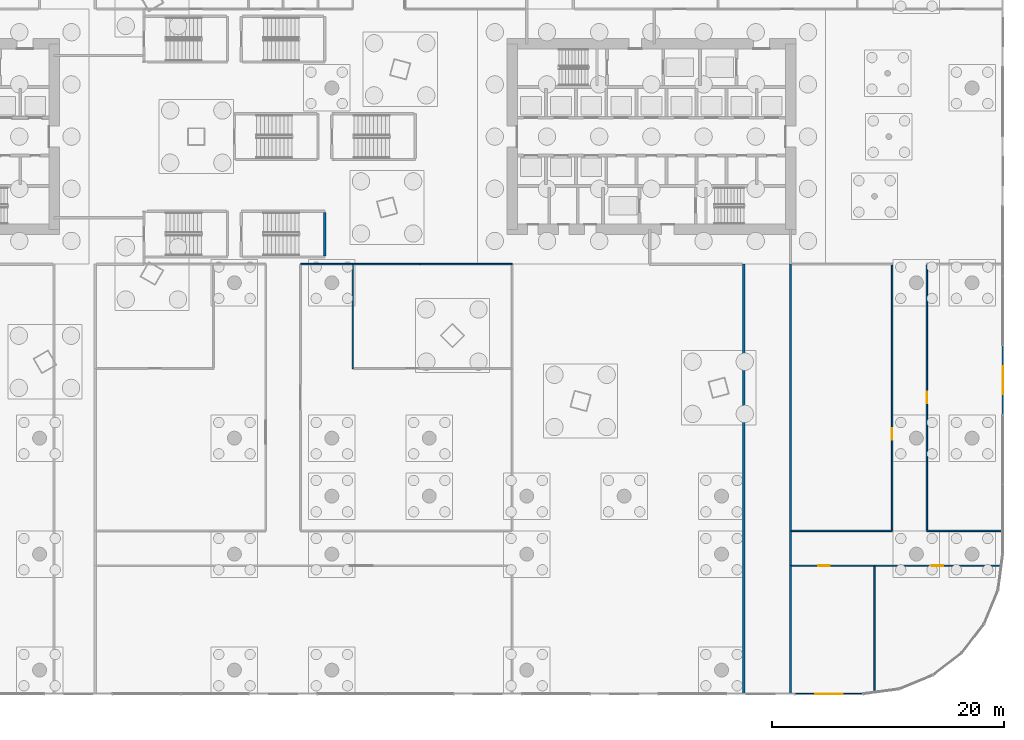
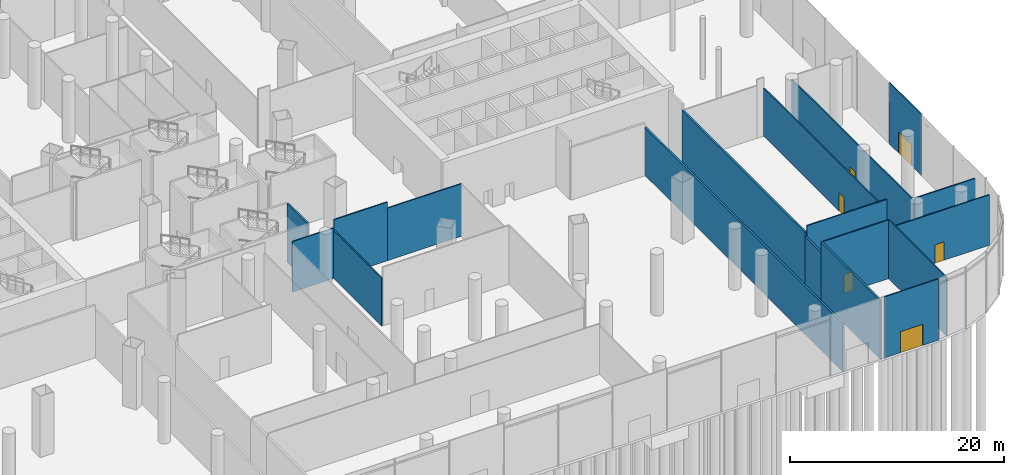
# One storey, part 30 of 41: 18 walls, 6 doors, 6 openings.
"""IFC4 building model written with IfcOpenShell, lengths in metres."""

from ifc_helpers import new_model, si_unit, direction, frame, frame_2d, origin, place, context, subcontext, project, spatial, rectangle, extrude, material, layer, layer_set, type_object, element, fill, save


model = new_model("IFC4")

# Units and contexts
model_context = context("Model", 3, precision=1e-05, world=origin(), true_north=direction((0.0, 1.0)))
body_context = subcontext(model_context, "Body", "Model", "MODEL_VIEW")
ifc_project = project(units=[si_unit("LENGTHUNIT", "METRE"), si_unit("AREAUNIT", "SQUARE_METRE"), si_unit("VOLUMEUNIT", "CUBIC_METRE"), si_unit("PLANEANGLEUNIT", "RADIAN"), si_unit("MASSUNIT", "GRAM", prefix="KILO")], contexts=[model_context])

# Site, building, storey
site_placement = place(None, origin())
site = spatial("IfcSite", under=ifc_project, at=site_placement, CompositionType="ELEMENT")
building_placement = place(site_placement, origin())
building = spatial("IfcBuilding", under=site, at=building_placement, Name="Rimbun Link Towers", CompositionType="ELEMENT")
storey_placement = place(building_placement, origin())
storey = spatial("IfcBuildingStorey", under=building, at=storey_placement, Name="L00", CompositionType="ELEMENT", Elevation=0.0)

# Wall, opening, door
ifc_material_1 = material(Name="Aluminium framed insulated infill panel", Category="aluminium")
ifc_layer_1 = layer(ifc_material_1, 0.10009765625)
ifc_layer_set_1 = layer_set([ifc_layer_1], Name="ED framed infill wall 100")
wall_type_1 = type_object("IfcWallType", Name="ED framed infill wall 100", PredefinedType="STANDARD", material=ifc_layer_set_1)
wall_1_placement = place(storey_placement, frame((62.050048828125, -18.02001953125, 0.0), z_axis=(0.0, 0.0, 1.0), x_axis=(0.0, -1.0, 0.0)))
wall_1 = element("IfcWall", 1, at=wall_1_placement, inside=storey, type_object=wall_type_1, Name="Framed door bay wall", PredefinedType="STANDARD", context=body_context, shape_type="SweptSolid", body=[
    extrude(rectangle(XDim=5.9599609375, YDim=0.10009765625, at=frame_2d((2.97998046875, 0.0))), origin(), (0.0, 0.0, 1.0), 7.0),
])
opening_1_placement = place(wall_1_placement, frame((1.780029296875, 0.0, 0.0)))
opening_1 = element("IfcOpeningElement", 2, at=opening_1_placement, cuts=wall_1, Name="Opening ED01", PredefinedType="OPENING", context=body_context, shape_type="SweptSolid", body=[
    extrude(rectangle(XDim=2.39990234375, YDim=2.39990234375, at=frame_2d((1.199951171875, 1.199951171875))), frame((0.0, 0.06005859375, 0.0), z_axis=(0.0, -1.0, 0.0), x_axis=(1.0, 0.0, 0.0)), (0.0, 0.0, 1.0), 0.1201171875),
])
ifc_material_2 = material(Name="Aluminium framed glazed door, low-iron glass", Category="aluminium")
door_type_1 = type_object("IfcDoorType", Name="ED entrance door double leaf 2400X2400", OperationType="DOUBLE_DOOR_SINGLE_SWING", PredefinedType="DOOR", material=ifc_material_2)
door_1_placement = place(opening_1_placement, origin())
door_1 = element("IfcDoor", 3, at=door_1_placement, inside=storey, type_object=door_type_1, Name="Entrance door", OperationType="SINGLE_SWING_LEFT", OverallHeight=2.39990234375, OverallWidth=2.39990234375, PredefinedType="DOOR", context=body_context, shape_type="SweptSolid", body=[
    extrude(rectangle(XDim=2.39990234375, YDim=2.39990234375, at=frame_2d((1.199951171875, 1.199951171875))), frame((0.0, 0.02490234375, 0.0), z_axis=(0.0, -1.0, 0.0), x_axis=(1.0, 0.0, 0.0)), (0.0, 0.0, 1.0), 0.050048828125),
])
fill(opening_1, door_1)

wall_2_placement = place(storey_placement, frame((49.97998046875, -48.050048828125, 0.0), z_axis=(0.0, 0.0, 1.0), x_axis=(-1.0, 0.0, 0.0)))
wall_2 = element("IfcWall", 4, at=wall_2_placement, inside=storey, type_object=wall_type_1, Name="Framed door bay wall", PredefinedType="STANDARD", context=body_context, shape_type="SweptSolid", body=[
    extrude(rectangle(XDim=5.84228515625, YDim=0.10009765625, at=frame_2d((2.921142578125, 0.0))), origin(), (0.0, 0.0, 1.0), 7.0),
])
opening_2_placement = place(wall_2_placement, frame((1.72119140625, 0.0, 0.0)))
opening_2 = element("IfcOpeningElement", 5, at=opening_2_placement, cuts=wall_2, Name="Opening ED22", PredefinedType="OPENING", context=body_context, shape_type="SweptSolid", body=[
    extrude(rectangle(XDim=2.39990234375, YDim=2.39990234375, at=frame_2d((1.199951171875, 1.199951171875))), frame((0.0, 0.06005859375, 0.0), z_axis=(0.0, -1.0, 0.0), x_axis=(1.0, 0.0, 0.0)), (0.0, 0.0, 1.0), 0.1201171875),
])
door_2_placement = place(opening_2_placement, origin())
door_2 = element("IfcDoor", 6, at=door_2_placement, inside=storey, type_object=door_type_1, Name="Entrance door", OperationType="SINGLE_SWING_LEFT", OverallHeight=2.39990234375, OverallWidth=2.39990234375, PredefinedType="DOOR", context=body_context, shape_type="SweptSolid", body=[
    extrude(rectangle(XDim=2.39990234375, YDim=2.39990234375, at=frame_2d((1.199951171875, 1.199951171875))), frame((0.0, 0.02490234375, 0.0), z_axis=(0.0, -1.0, 0.0), x_axis=(1.0, 0.0, 0.0)), (0.0, 0.0, 1.0), 0.050048828125),
])
fill(opening_2, door_2)

# Walls
ifc_material_3 = material(Name="Concrete blockwork", Category="masonry")
ifc_layer_2 = layer(ifc_material_3, 0.199951171875)
ifc_layer_set_2 = layer_set([ifc_layer_2], Name="Fire partition 200 blockwork")
wall_type_2 = type_object("IfcWallType", Name="Fire partition 200 blockwork", PredefinedType="PARTITIONING", material=ifc_layer_set_2)
wall_3_placement = place(storey_placement, frame((39.699951171875, -11.0, 0.0), z_axis=(0.0, 0.0, 1.0), x_axis=(0.0, -1.0, 0.0)))
element("IfcWall", 7, at=wall_3_placement, inside=storey, type_object=wall_type_2, Name="PD/PW/L00/052", PredefinedType="PARTITIONING", context=body_context, shape_type="SweptSolid", body=[
    extrude(rectangle(XDim=37.080078125, YDim=0.199951171875, at=frame_2d((18.5400390625, 0.0))), origin(), (0.0, 0.0, 1.0), 5.47998046875),
])
wall_4_placement = place(storey_placement, frame((43.75, -37.0, 0.0), z_axis=(0.0, 0.0, 1.0), x_axis=(0.0, 1.0, 0.0)))
element("IfcWall", 8, at=wall_4_placement, inside=storey, type_object=wall_type_2, Name="PD/PW/L00/054", PredefinedType="PARTITIONING", context=body_context, shape_type="SweptSolid", body=[
    extrude(rectangle(XDim=3.0, YDim=0.199951171875, at=frame_2d((1.5, 0.0))), origin(), (0.0, 0.0, 1.0), 5.47998046875),
])
wall_5_placement = place(storey_placement, frame((43.75, -48.080078125, 0.0), z_axis=(0.0, 0.0, 1.0), x_axis=(0.0, 1.0, 0.0)))
element("IfcWall", 9, at=wall_5_placement, inside=storey, type_object=wall_type_2, Name="PD/PW/L00/055", PredefinedType="PARTITIONING", context=body_context, shape_type="SweptSolid", body=[
    extrude(rectangle(XDim=11.080078125, YDim=0.199951171875, at=frame_2d((5.5400390625, 0.0))), origin(), (0.0, 0.0, 1.0), 6.699951171875),
])
wall_6_placement = place(storey_placement, frame((43.75, -34.0, 0.0), z_axis=(0.0, 0.0, 1.0), x_axis=(0.0, 1.0, 0.0)))
element("IfcWall", 10, at=wall_6_placement, inside=storey, type_object=wall_type_2, Name="PD/PW/L00/056", PredefinedType="PARTITIONING", context=body_context, shape_type="SweptSolid", body=[
    extrude(rectangle(XDim=23.0, YDim=0.199951171875, at=frame_2d((11.5, 0.0))), origin(), (0.0, 0.0, 1.0), 5.99609375),
])
ifc_material_4 = material(Name="Gypsum board on steel studs", Category="steel")
ifc_layer_3 = layer(ifc_material_4, 0.125)
ifc_layer_set_3 = layer_set([ifc_layer_3], Name="Partition 125 board on studs")
wall_type_3 = type_object("IfcWallType", Name="Partition 125 board on studs", PredefinedType="PARTITIONING", material=ifc_layer_set_3)
wall_7_placement = place(storey_placement, frame((11.72998046875, -11.0, 0.0), z_axis=(0.0, 0.0, 1.0), x_axis=(1.0, 0.0, 0.0)))
element("IfcWall", 11, at=wall_7_placement, inside=storey, type_object=wall_type_3, Name="PD/PW/L00/062", PredefinedType="PARTITIONING", context=body_context, shape_type="SweptSolid", body=[
    extrude(rectangle(XDim=8.02001953125, YDim=0.125, at=frame_2d((4.010009765625, 0.0))), origin(), (0.0, 0.0, 1.0), 5.99609375),
])
wall_8_placement = place(storey_placement, frame((6.0, -11.0, 0.0), z_axis=(0.0, 0.0, 1.0), x_axis=(1.0, 0.0, 0.0)))
element("IfcWall", 12, at=wall_8_placement, inside=storey, type_object=wall_type_3, Name="PD/PW/L00/075", PredefinedType="PARTITIONING", context=body_context, shape_type="SweptSolid", body=[
    extrude(rectangle(XDim=5.77001953125, YDim=0.125, at=frame_2d((2.885009765625, 0.0))), origin(), (0.0, 0.0, 1.0), 6.699951171875),
])
wall_9_placement = place(storey_placement, frame((1.5, -11.0, 0.0), z_axis=(0.0, 0.0, 1.0), x_axis=(1.0, 0.0, 0.0)))
element("IfcWall", 13, at=wall_9_placement, inside=storey, type_object=wall_type_3, Name="PD/PW/L00/077", PredefinedType="PARTITIONING", context=body_context, shape_type="SweptSolid", body=[
    extrude(rectangle(XDim=4.5, YDim=0.125, at=frame_2d((2.25, 0.0))), origin(), (0.0, 0.0, 1.0), 5.761962890625),
])

# Wall, opening, door
wall_10_placement = place(storey_placement, frame((43.85009765625, -37.0, 0.0), z_axis=(0.0, 0.0, 1.0), x_axis=(1.0, 0.0, 0.0)))
wall_10 = element("IfcWall", 14, at=wall_10_placement, inside=storey, type_object=wall_type_3, Name="PD/PW/L00/086", PredefinedType="PARTITIONING", context=body_context, shape_type="SweptSolid", body=[
    extrude(rectangle(XDim=7.14990234375, YDim=0.125, at=frame_2d((3.574951171875, 0.0))), origin(), (0.0, 0.0, 1.0), 6.699951171875),
])
opening_3_placement = place(wall_10_placement, frame((2.287109375, 0.0, 0.0)))
opening_3 = element("IfcOpeningElement", 15, at=opening_3_placement, cuts=wall_10, Name="Opening PD D00.08", PredefinedType="OPENING", context=body_context, shape_type="SweptSolid", body=[
    extrude(rectangle(XDim=1.0, YDim=2.10009765625, at=frame_2d((0.5, 1.050048828125))), frame((0.0, 0.072509765625, 0.0), z_axis=(0.0, -1.0, 0.0), x_axis=(1.0, 0.0, 0.0)), (0.0, 0.0, 1.0), 0.14501953125),
])
ifc_material_5 = material(Name="Timber door set", Category="wood")
door_type_2 = type_object("IfcDoorType", Name="Door single leaf 1000 x 2100", OperationType="NOTDEFINED", PredefinedType="DOOR", material=ifc_material_5)
door_3_placement = place(opening_3_placement, origin())
door_3 = element("IfcDoor", 16, at=door_3_placement, inside=storey, type_object=door_type_2, Name="PD/DR/L00/008", OperationType="SINGLE_SWING_LEFT", OverallHeight=2.10009765625, OverallWidth=1.0, PredefinedType="DOOR", context=body_context, shape_type="SweptSolid", body=[
    extrude(rectangle(XDim=1.0, YDim=2.10009765625, at=frame_2d((0.5, 1.050048828125))), frame((0.0, 0.02490234375, 0.0), z_axis=(0.0, -1.0, 0.0), x_axis=(1.0, 0.0, 0.0)), (0.0, 0.0, 1.0), 0.050048828125),
])
fill(opening_3, door_3)

wall_11_placement = place(storey_placement, frame((51.0, -37.0, 0.0), z_axis=(0.0, 0.0, 1.0), x_axis=(1.0, 0.0, 0.0)))
wall_11 = element("IfcWall", 17, at=wall_11_placement, inside=storey, type_object=wall_type_3, Name="PD/PW/L00/087", PredefinedType="PARTITIONING", context=body_context, shape_type="SweptSolid", body=[
    extrude(rectangle(XDim=10.868408203125, YDim=0.125, at=frame_2d((5.43408203125, 0.0))), origin(), (0.0, 0.0, 1.0), 5.761962890625),
])
opening_4_placement = place(wall_11_placement, frame((4.93408203125, 0.0, 0.0)))
opening_4 = element("IfcOpeningElement", 18, at=opening_4_placement, cuts=wall_11, Name="Opening PD D00.09", PredefinedType="OPENING", context=body_context, shape_type="SweptSolid", body=[
    extrude(rectangle(XDim=1.0, YDim=2.10009765625, at=frame_2d((0.5, 1.050048828125))), frame((0.0, 0.072509765625, 0.0), z_axis=(0.0, -1.0, 0.0), x_axis=(1.0, 0.0, 0.0)), (0.0, 0.0, 1.0), 0.14501953125),
])
door_4_placement = place(opening_4_placement, origin())
door_4 = element("IfcDoor", 19, at=door_4_placement, inside=storey, type_object=door_type_2, Name="PD/DR/L00/009", OperationType="SINGLE_SWING_RIGHT", OverallHeight=2.10009765625, OverallWidth=1.0, PredefinedType="DOOR", context=body_context, shape_type="SweptSolid", body=[
    extrude(rectangle(XDim=1.0, YDim=2.10009765625, at=frame_2d((0.5, 1.050048828125))), frame((0.0, 0.02490234375, 0.0), z_axis=(0.0, -1.0, 0.0), x_axis=(1.0, 0.0, 0.0)), (0.0, 0.0, 1.0), 0.050048828125),
])
fill(opening_4, door_4)

# Walls
wall_12_placement = place(storey_placement, frame((52.5, -34.0, 0.0), z_axis=(0.0, 0.0, 1.0), x_axis=(-1.0, 0.0, 0.0)))
element("IfcWall", 20, at=wall_12_placement, inside=storey, type_object=wall_type_3, Name="PD/PW/L00/088", PredefinedType="PARTITIONING", context=body_context, shape_type="SweptSolid", body=[
    extrude(rectangle(XDim=8.64990234375, YDim=0.125, at=frame_2d((4.324951171875, 0.0))), origin(), (0.0, 0.0, 1.0), 6.699951171875),
])
wall_13_placement = place(storey_placement, frame((62.080078125, -34.0, 0.0), z_axis=(0.0, 0.0, 1.0), x_axis=(-1.0, 0.0, 0.0)))
element("IfcWall", 21, at=wall_13_placement, inside=storey, type_object=wall_type_3, Name="PD/PW/L00/089", PredefinedType="PARTITIONING", context=body_context, shape_type="SweptSolid", body=[
    extrude(rectangle(XDim=6.580078125, YDim=0.125, at=frame_2d((3.2900390625, 0.0))), origin(), (0.0, 0.0, 1.0), 5.761962890625),
])

# Wall, opening, door
wall_14_placement = place(storey_placement, frame((52.5, -11.0625, 0.0), z_axis=(0.0, 0.0, 1.0), x_axis=(0.0, -1.0, 0.0)))
wall_14 = element("IfcWall", 22, at=wall_14_placement, inside=storey, type_object=wall_type_3, Name="PD/PW/L00/101", PredefinedType="PARTITIONING", context=body_context, shape_type="SweptSolid", body=[
    extrude(rectangle(XDim=22.875, YDim=0.125, at=frame_2d((11.4375, 0.0))), origin(), (0.0, 0.0, 1.0), 5.47998046875),
])
opening_5_placement = place(wall_14_placement, frame((14.083984375, 0.0, 0.0)))
opening_5 = element("IfcOpeningElement", 23, at=opening_5_placement, cuts=wall_14, Name="Opening PD D00.12", PredefinedType="OPENING", context=body_context, shape_type="SweptSolid", body=[
    extrude(rectangle(XDim=1.0, YDim=2.10009765625, at=frame_2d((0.5, 1.050048828125))), frame((0.0, 0.072509765625, 0.0), z_axis=(0.0, -1.0, 0.0), x_axis=(1.0, 0.0, 0.0)), (0.0, 0.0, 1.0), 0.14501953125),
])
door_5_placement = place(opening_5_placement, origin())
door_5 = element("IfcDoor", 24, at=door_5_placement, inside=storey, type_object=door_type_2, Name="PD/DR/L00/012", OperationType="SINGLE_SWING_LEFT", OverallHeight=2.10009765625, OverallWidth=1.0, PredefinedType="DOOR", context=body_context, shape_type="SweptSolid", body=[
    extrude(rectangle(XDim=1.0, YDim=2.10009765625, at=frame_2d((0.5, 1.050048828125))), frame((0.0, 0.02490234375, 0.0), z_axis=(0.0, -1.0, 0.0), x_axis=(1.0, 0.0, 0.0)), (0.0, 0.0, 1.0), 0.050048828125),
])
fill(opening_5, door_5)

wall_15_placement = place(storey_placement, frame((55.5, -33.9375, 0.0), z_axis=(0.0, 0.0, 1.0), x_axis=(0.0, 1.0, 0.0)))
wall_15 = element("IfcWall", 25, at=wall_15_placement, inside=storey, type_object=wall_type_3, Name="PD/PW/L00/102", PredefinedType="PARTITIONING", context=body_context, shape_type="SweptSolid", body=[
    extrude(rectangle(XDim=22.875, YDim=0.125, at=frame_2d((11.4375, 0.0))), origin(), (0.0, 0.0, 1.0), 5.47998046875),
])
opening_6_placement = place(wall_15_placement, frame((10.93798828125, 0.0, 0.0)))
opening_6 = element("IfcOpeningElement", 26, at=opening_6_placement, cuts=wall_15, Name="Opening PD D00.13", PredefinedType="OPENING", context=body_context, shape_type="SweptSolid", body=[
    extrude(rectangle(XDim=1.0, YDim=2.10009765625, at=frame_2d((0.5, 1.050048828125))), frame((0.0, 0.072509765625, 0.0), z_axis=(0.0, -1.0, 0.0), x_axis=(1.0, 0.0, 0.0)), (0.0, 0.0, 1.0), 0.14501953125),
])
door_6_placement = place(opening_6_placement, origin())
door_6 = element("IfcDoor", 27, at=door_6_placement, inside=storey, type_object=door_type_2, Name="PD/DR/L00/013", OperationType="SINGLE_SWING_RIGHT", OverallHeight=2.10009765625, OverallWidth=1.0, PredefinedType="DOOR", context=body_context, shape_type="SweptSolid", body=[
    extrude(rectangle(XDim=1.0, YDim=2.10009765625, at=frame_2d((0.5, 1.050048828125))), frame((0.0, 0.02490234375, 0.0), z_axis=(0.0, -1.0, 0.0), x_axis=(1.0, 0.0, 0.0)), (0.0, 0.0, 1.0), 0.050048828125),
])
fill(opening_6, door_6)

# Walls
wall_16_placement = place(storey_placement, frame((6.0, -11.0625, 0.0), z_axis=(0.0, 0.0, 1.0), x_axis=(0.0, -1.0, 0.0)))
element("IfcWall", 28, at=wall_16_placement, inside=storey, type_object=wall_type_3, Name="PD/PW/L00/105", PredefinedType="PARTITIONING", context=body_context, shape_type="SweptSolid", body=[
    extrude(rectangle(XDim=8.9375, YDim=0.125, at=frame_2d((4.46875, 0.0))), origin(), (0.0, 0.0, 1.0), 5.47998046875),
])
wall_17_placement = place(storey_placement, frame((51.0, -47.868408203125, 0.0), z_axis=(0.0, 0.0, 1.0), x_axis=(0.0, 1.0, 0.0)))
element("IfcWall", 29, at=wall_17_placement, inside=storey, type_object=wall_type_3, Name="PD/PW/L00/108", PredefinedType="PARTITIONING", context=body_context, shape_type="SweptSolid", body=[
    extrude(rectangle(XDim=10.805908203125, YDim=0.125, at=frame_2d((5.40283203125, 0.0))), origin(), (0.0, 0.0, 1.0), 6.699951171875),
])
ifc_material_6 = material(Name="Concrete C40/50", Category="concrete")
ifc_layer_4 = layer(ifc_material_6, 0.199951171875)
ifc_layer_set_4 = layer_set([ifc_layer_4], Name="Stair shaft wall 200")
wall_type_4 = type_object("IfcWallType", Name="Stair shaft wall 200", PredefinedType="SOLIDWALL", material=ifc_layer_set_4)
wall_18_placement = place(storey_placement, frame((3.60009765625, -10.27490234375, 0.0), z_axis=(0.0, 0.0, 1.0), x_axis=(0.0, 1.0, 0.0)))
element("IfcWall", 30, at=wall_18_placement, inside=storey, type_object=wall_type_4, Name="PD/PW/L00/009", PredefinedType="SOLIDWALL", context=body_context, shape_type="SweptSolid", body=[
    extrude(rectangle(XDim=3.75, YDim=0.199951171875, at=frame_2d((1.875, 0.0))), origin(), (0.0, 0.0, 1.0), 6.699951171875),
])

save(model, "model.ifc")
